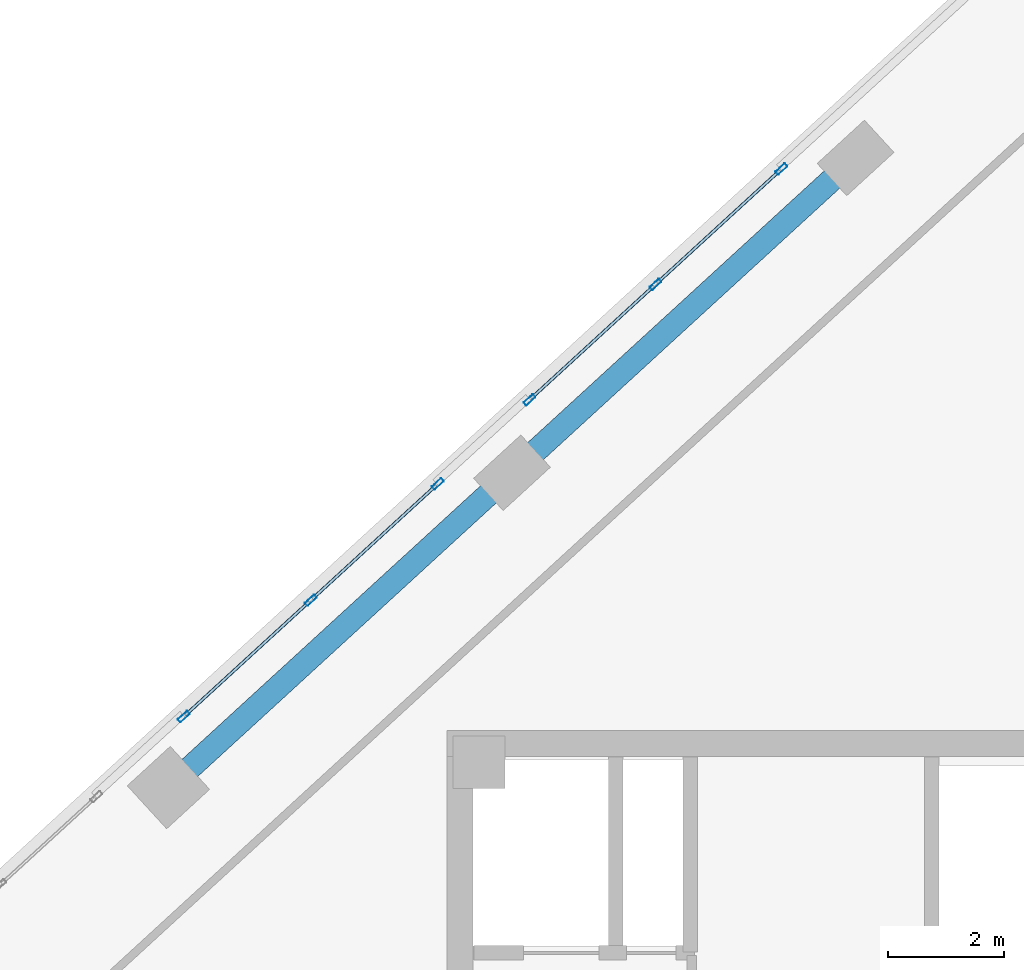
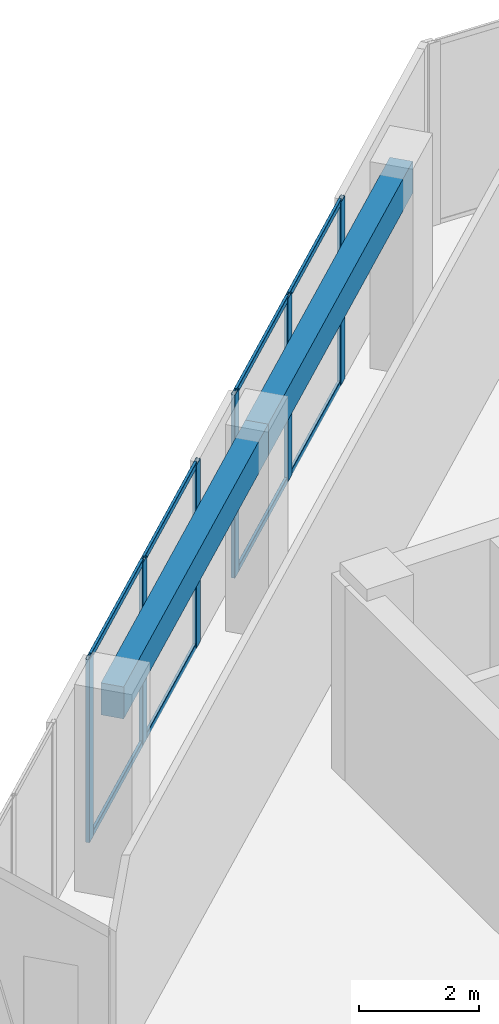
# One storey, part 8 of 18: 14 members, 2 beams, 2 elements without a shape of their own.
"""IFC4 building model written with IfcOpenShell, lengths in metres."""

from ifc_helpers import new_model, si_unit, direction, frame, origin, origin_2d, place, context, subcontext, project, spatial, rectangle, hollow_rectangle, extrude, source, transform, mapped, material, material_profile, profile_set, type_object, element, aggregate, save


model = new_model("IFC4")

# Units and contexts
model_context = context("Model", 3, precision=1e-05, world=origin(), true_north=direction((0.0, 1.0)))
body_context = subcontext(model_context, "Body", "Model", "MODEL_VIEW")
ifc_project = project(units=[si_unit("LENGTHUNIT", "METRE"), si_unit("AREAUNIT", "SQUARE_METRE"), si_unit("VOLUMEUNIT", "CUBIC_METRE"), si_unit("PLANEANGLEUNIT", "RADIAN"), si_unit("MASSUNIT", "GRAM", prefix="KILO")], contexts=[model_context])

# Site, building, storey
site_placement = place(None, origin())
site = spatial("IfcSite", under=ifc_project, at=site_placement, CompositionType="ELEMENT")
building_placement = place(site_placement, origin())
building = spatial("IfcBuilding", under=site, at=building_placement, Name="Torre Montelarca", CompositionType="ELEMENT")
storey_placement = place(building_placement, frame((0.0, 0.0, 258.39990234375)))
storey = spatial("IfcBuildingStorey", under=building, at=storey_placement, Name="L58", CompositionType="ELEMENT", Elevation=258.39990234375)

# Beams
ifc_material_1 = material(Name="Concrete C40/50", Category="concrete")
ifc_material_profile_1 = material_profile(ifc_material_1, rectangle(XDim=0.39990234375, YDim=0.64990234375, at=origin_2d()), Name="RCB400X650", Category="concrete")
ifc_profile_set_1 = profile_set([ifc_material_profile_1], Name="Concrete C40/50")
beam_type = type_object("IfcBeamType", Name="BM-SP-RC650-EXT", PredefinedType="SPANDREL", material=ifc_profile_set_1)
shared_shape_1 = source(origin(), body_context, "Body", "SweptSolid", [
    extrude(rectangle(XDim=0.39990234375, YDim=0.64990234375, at=origin_2d()), origin(), (0.0, 0.0, 1.0), 8.0),
])
for number, where, z_axis, x_axis, name in (
    (1, (4.218017578125, 39.018310546875, 3.635009765625), (0.737271938008, 0.675596099327, 0.0), (-0.675596099327, 0.737271938008, 0.0), "L58 Grid Girder Y 24.0-32.0 at X=4.7"),
    (2, (10.1162109375, 44.423095703125, 3.635009765625), (0.737271938008, 0.675596099327, 0.0), (-0.675596099327, 0.737271938008, 0.0), "L58 Grid Girder Y 32.0-40.0 at X=4.7"),
):
    element("IfcBeam", number, at=place(storey_placement, frame(where, z_axis=z_axis, x_axis=x_axis)), inside=storey, type_object=beam_type, Name=name, PredefinedType="SPANDREL", context=body_context, shape_type="MappedRepresentation", body=[
        mapped(shared_shape_1, transform((0.0, 0.0, 0.0), scale=1.0)),
    ])

# Curtain wall, members
ifc_material_2 = material(Name="Insulated low-E laminated glass", Category="glass")
curtain_wall_type = type_object("IfcCurtainWallType", Name="CW-SYS-Z3", PredefinedType="USERDEFINED", material=ifc_material_2)
curtain_wall_1_placement = place(storey_placement, origin())
curtain_wall_1 = element("IfcCurtainWall", 3, at=curtain_wall_1_placement, inside=storey, type_object=curtain_wall_type, Name="L58 Curtain Wall Run CW-T3-L58-E10-B1", ObjectType="UNITISED GLAZING", PredefinedType="USERDEFINED")
ifc_material_3 = material(Name="Anodised aluminium AA 6063-T6", Category="aluminium")
ifc_material_profile_2 = material_profile(ifc_material_3, hollow_rectangle(XDim=0.074951171875, YDim=0.219970703125, WallThickness=0.0048828125, InnerFilletRadius=0.0048828125, OuterFilletRadius=0.010009765625, at=origin_2d()), Name="ALU75X220X5", Category="aluminium")
ifc_profile_set_2 = profile_set([ifc_material_profile_2], Name="Anodised aluminium AA 6063-T6")
member_type_1 = type_object("IfcMemberType", Name="CWM-ALU220", PredefinedType="MULLION", material=ifc_profile_set_2)
shared_shape_2 = source(origin(), body_context, "Body", "SweptSolid", [
    extrude(hollow_rectangle(XDim=0.074951171875, YDim=0.219970703125, WallThickness=0.0048828125, InnerFilletRadius=0.0048828125, OuterFilletRadius=0.010009765625, at=origin_2d()), origin(), (0.0, 0.0, 1.0), 3.72021484375),
])
member_1_placement = place(storey_placement, frame((14.740966796875, 49.637451171875, 0.0), z_axis=(0.0, 0.0, 1.0), x_axis=(0.675591969811, -0.737275722052, 0.0)))
member_1 = element("IfcMember", 4, at=member_1_placement, type_object=member_type_1, Name="CW mullion 1", PredefinedType="MULLION", context=body_context, shape_type="MappedRepresentation", body=[
    mapped(shared_shape_2, transform((0.0, 0.0, 0.0), scale=1.0)),
])
member_2_placement = place(storey_placement, frame((12.5791015625, 47.65625, 0.0), z_axis=(0.0, 0.0, 1.0), x_axis=(0.675591969811, -0.737275722052, 0.0)))
member_2 = element("IfcMember", 5, at=member_2_placement, type_object=member_type_1, Name="CW mullion 2", PredefinedType="MULLION", context=body_context, shape_type="MappedRepresentation", body=[
    mapped(shared_shape_2, transform((0.0, 0.0, 0.0), scale=1.0)),
])
member_3_placement = place(storey_placement, frame((10.4169921875, 45.675048828125, 0.0), z_axis=(0.0, 0.0, 1.0), x_axis=(0.675591969811, -0.737275722052, 0.0)))
member_3 = element("IfcMember", 6, at=member_3_placement, type_object=member_type_1, Name="CW mullion 3", PredefinedType="MULLION", context=body_context, shape_type="MappedRepresentation", body=[
    mapped(shared_shape_2, transform((0.0, 0.0, 0.0), scale=1.0)),
])

curtain_wall_2_placement = place(storey_placement, origin())
curtain_wall_2 = element("IfcCurtainWall", 7, at=curtain_wall_2_placement, inside=storey, type_object=curtain_wall_type, Name="L58 Curtain Wall Run CW-T3-L58-E10-B2", ObjectType="UNITISED GLAZING", PredefinedType="USERDEFINED")
member_4_placement = place(storey_placement, frame((8.8427734375, 44.232666015625, 0.0), z_axis=(0.0, 0.0, 1.0), x_axis=(0.675590809834, -0.737276784978, 0.0)))
member_4 = element("IfcMember", 8, at=member_4_placement, type_object=member_type_1, Name="CW mullion 1", PredefinedType="MULLION", context=body_context, shape_type="MappedRepresentation", body=[
    mapped(shared_shape_2, transform((0.0, 0.0, 0.0), scale=1.0)),
])
member_5_placement = place(storey_placement, frame((6.662353515625, 42.234619140625, 0.0), z_axis=(0.0, 0.0, 1.0), x_axis=(0.675590809834, -0.737276784978, 0.0)))
member_5 = element("IfcMember", 9, at=member_5_placement, type_object=member_type_1, Name="CW mullion 2", PredefinedType="MULLION", context=body_context, shape_type="MappedRepresentation", body=[
    mapped(shared_shape_2, transform((0.0, 0.0, 0.0), scale=1.0)),
])
member_6_placement = place(storey_placement, frame((4.48193359375, 40.236572265625, 0.0), z_axis=(0.0, 0.0, 1.0), x_axis=(0.675590809834, -0.737276784978, 0.0)))
member_6 = element("IfcMember", 10, at=member_6_placement, type_object=member_type_1, Name="CW mullion 3", PredefinedType="MULLION", context=body_context, shape_type="MappedRepresentation", body=[
    mapped(shared_shape_2, transform((0.0, 0.0, 0.0), scale=1.0)),
])

# Member
ifc_material_profile_3 = material_profile(ifc_material_3, hollow_rectangle(XDim=0.054931640625, YDim=0.1201171875, WallThickness=0.00341796875, InnerFilletRadius=0.00341796875, OuterFilletRadius=0.007080078125, at=origin_2d()), Name="ALU55X120X3.5", Category="aluminium")
ifc_profile_set_3 = profile_set([ifc_material_profile_3], Name="Anodised aluminium AA 6063-T6")
member_type_2 = type_object("IfcMemberType", Name="CWT-ALU120", PredefinedType="USERDEFINED", material=ifc_profile_set_3)
shared_shape_3 = source(origin(), body_context, "Body", "SweptSolid", [
    extrude(hollow_rectangle(XDim=0.054931640625, YDim=0.1201171875, WallThickness=0.00341796875, InnerFilletRadius=0.00341796875, OuterFilletRadius=0.007080078125, at=origin_2d()), origin(), (0.0, 0.0, 1.0), 2.857421875),
])
member_7_placement = place(storey_placement, frame((14.71337890625, 49.612060546875, 0.027587890625), z_axis=(-0.737278260352, -0.675589199745, 0.0), x_axis=(0.675589199745, -0.737278260352, 0.0)))
member_7 = element("IfcMember", 11, at=member_7_placement, type_object=member_type_2, Name="CW transom 1.1", ObjectType="TRANSOM", PredefinedType="USERDEFINED", context=body_context, shape_type="MappedRepresentation", body=[
    mapped(shared_shape_3, transform((0.0, 0.0, 0.0), scale=1.0)),
])

member_8_placement = place(storey_placement, frame((14.71337890625, 49.612060546875, 3.692626953125), z_axis=(-0.737278260352, -0.675589199745, 0.0), x_axis=(0.675589199745, -0.737278260352, 0.0)))
member_8 = element("IfcMember", 12, at=member_8_placement, type_object=member_type_2, Name="CW transom 1.2", ObjectType="TRANSOM", PredefinedType="USERDEFINED", context=body_context, shape_type="MappedRepresentation", body=[
    mapped(shared_shape_3, transform((0.0, 0.0, 0.0), scale=1.0)),
])

member_9_placement = place(storey_placement, frame((12.55126953125, 47.630859375, 0.027587890625), z_axis=(-0.737278260352, -0.675589199745, 0.0), x_axis=(0.675589199745, -0.737278260352, 0.0)))
member_9 = element("IfcMember", 13, at=member_9_placement, type_object=member_type_2, Name="CW transom 2.1", ObjectType="TRANSOM", PredefinedType="USERDEFINED", context=body_context, shape_type="MappedRepresentation", body=[
    mapped(shared_shape_3, transform((0.0, 0.0, 0.0), scale=1.0)),
])

member_10_placement = place(storey_placement, frame((12.55126953125, 47.630859375, 3.692626953125), z_axis=(-0.737278260352, -0.675589199745, 0.0), x_axis=(0.675589199745, -0.737278260352, 0.0)))
member_10 = element("IfcMember", 14, at=member_10_placement, type_object=member_type_2, Name="CW transom 2.2", ObjectType="TRANSOM", PredefinedType="USERDEFINED", context=body_context, shape_type="MappedRepresentation", body=[
    mapped(shared_shape_3, transform((0.0, 0.0, 0.0), scale=1.0)),
])

aggregate(curtain_wall_1, [member_1, member_2, member_3, member_7, member_8, member_9, member_10])

shared_shape_4 = source(origin(), body_context, "Body", "SweptSolid", [
    extrude(hollow_rectangle(XDim=0.054931640625, YDim=0.1201171875, WallThickness=0.00341796875, InnerFilletRadius=0.00341796875, OuterFilletRadius=0.007080078125, at=origin_2d()), origin(), (0.0, 0.0, 1.0), 2.882568359375),
])
member_11_placement = place(storey_placement, frame((8.815185546875, 44.20751953125, 0.027587890625), z_axis=(-0.737263114486, -0.675605728231, 0.0), x_axis=(0.675605728231, -0.737263114486, 0.0)))
member_11 = element("IfcMember", 15, at=member_11_placement, type_object=member_type_2, Name="CW transom 1.1", ObjectType="TRANSOM", PredefinedType="USERDEFINED", context=body_context, shape_type="MappedRepresentation", body=[
    mapped(shared_shape_4, transform((0.0, 0.0, 0.0), scale=1.0)),
])

member_12_placement = place(storey_placement, frame((8.815185546875, 44.20751953125, 3.692626953125), z_axis=(-0.737263114486, -0.675605728231, 0.0), x_axis=(0.675605728231, -0.737263114486, 0.0)))
member_12 = element("IfcMember", 16, at=member_12_placement, type_object=member_type_2, Name="CW transom 1.2", ObjectType="TRANSOM", PredefinedType="USERDEFINED", context=body_context, shape_type="MappedRepresentation", body=[
    mapped(shared_shape_4, transform((0.0, 0.0, 0.0), scale=1.0)),
])

member_13_placement = place(storey_placement, frame((6.634765625, 42.20947265625, 0.027587890625), z_axis=(-0.737263114486, -0.675605728231, 0.0), x_axis=(0.675605728231, -0.737263114486, 0.0)))
member_13 = element("IfcMember", 17, at=member_13_placement, type_object=member_type_2, Name="CW transom 2.1", ObjectType="TRANSOM", PredefinedType="USERDEFINED", context=body_context, shape_type="MappedRepresentation", body=[
    mapped(shared_shape_4, transform((0.0, 0.0, 0.0), scale=1.0)),
])

member_14_placement = place(storey_placement, frame((6.634765625, 42.20947265625, 3.692626953125), z_axis=(-0.737263114486, -0.675605728231, 0.0), x_axis=(0.675605728231, -0.737263114486, 0.0)))
member_14 = element("IfcMember", 18, at=member_14_placement, type_object=member_type_2, Name="CW transom 2.2", ObjectType="TRANSOM", PredefinedType="USERDEFINED", context=body_context, shape_type="MappedRepresentation", body=[
    mapped(shared_shape_4, transform((0.0, 0.0, 0.0), scale=1.0)),
])

aggregate(curtain_wall_2, [member_4, member_5, member_6, member_11, member_12, member_13, member_14])

save(model, "model.ifc")
